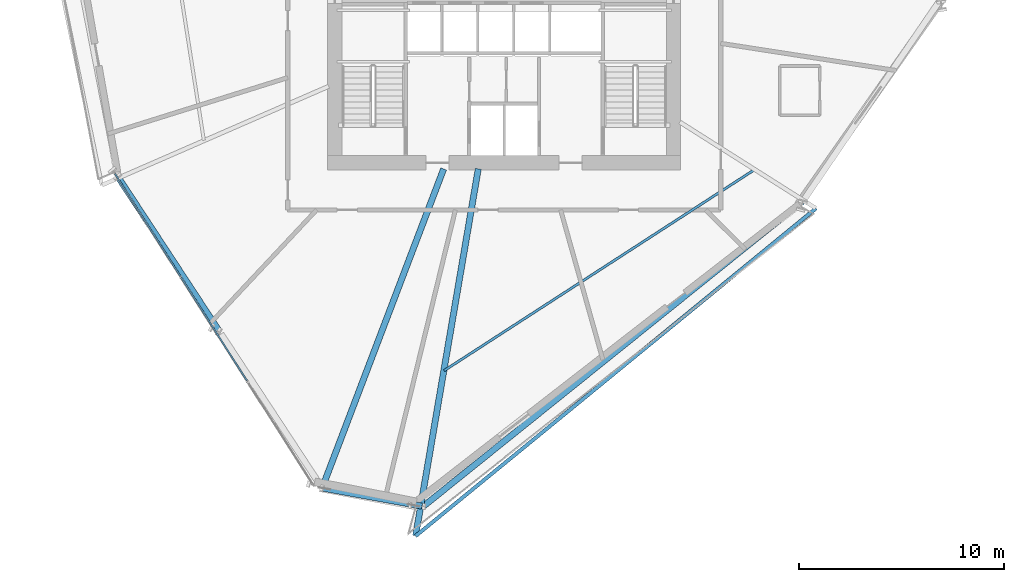
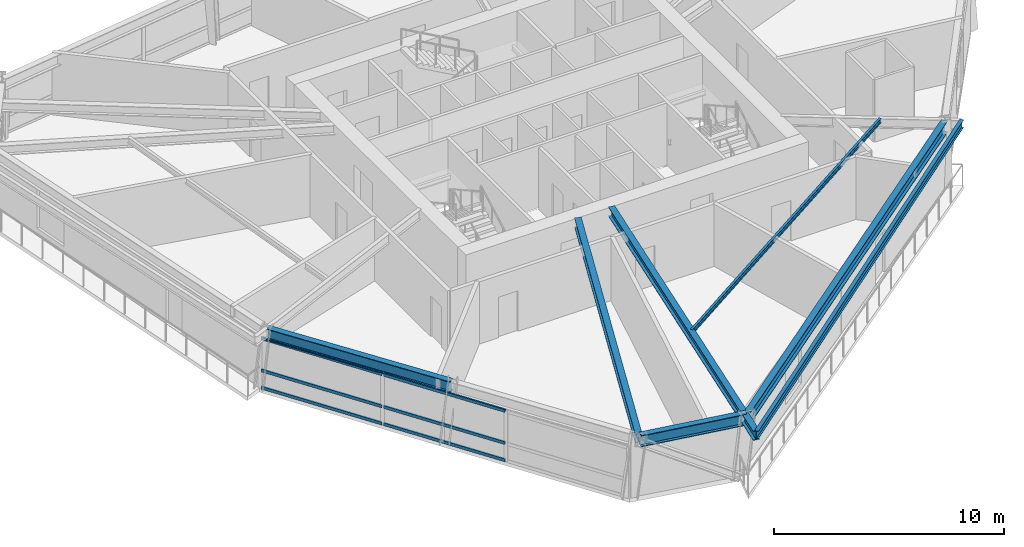
# One storey, part 3 of 16: 7 beams, 6 members, 1 element without a shape of its own.
"""IFC4 building model written with IfcOpenShell, lengths in metres."""

from ifc_helpers import new_model, si_unit, direction, frame, origin, origin_2d, place, context, subcontext, project, spatial, hollow_rectangle, i_section, extrude, source, transform, mapped, material, material_profile, profile_set, type_object, element, aggregate, save


model = new_model("IFC4")

# Units and contexts
model_context = context("Model", 3, precision=1e-05, world=origin(), true_north=direction((0.0, 1.0)))
body_context = subcontext(model_context, "Body", "Model", "MODEL_VIEW")
ifc_project = project(units=[si_unit("LENGTHUNIT", "METRE"), si_unit("AREAUNIT", "SQUARE_METRE"), si_unit("VOLUMEUNIT", "CUBIC_METRE"), si_unit("PLANEANGLEUNIT", "RADIAN"), si_unit("MASSUNIT", "GRAM", prefix="KILO")], contexts=[model_context])

# Site, building, storey
site_placement = place(None, origin())
site = spatial("IfcSite", under=ifc_project, at=site_placement, CompositionType="ELEMENT")
building_placement = place(site_placement, origin())
building = spatial("IfcBuilding", under=site, at=building_placement, Name="Olszyna Solenne Hotel", CompositionType="ELEMENT")
storey_placement = place(building_placement, frame((0.0, 0.0, 127.0)))
storey = spatial("IfcBuildingStorey", under=building, at=storey_placement, Name="L33", CompositionType="ELEMENT", Elevation=127.0)

# Beams
ifc_material_1 = material(Name="Steel S355J2", Category="steel")
ifc_material_profile_1 = material_profile(ifc_material_1, i_section(OverallWidth=0.300048828125, OverallDepth=0.60009765625, WebThickness=0.015380859375, FlangeThickness=0.030029296875, at=origin_2d()), Name="HEB 600", Category="load-bearing")
ifc_profile_set_1 = profile_set([ifc_material_profile_1], Name="Steel S355J2")
beam_type_1 = type_object("IfcBeamType", Name="BM-S2", PredefinedType="BEAM", material=ifc_profile_set_1)
shared_shape_1 = source(origin(), body_context, "Body", "SweptSolid", [
    extrude(i_section(OverallWidth=0.300048828125, OverallDepth=0.60009765625, WebThickness=0.015380859375, FlangeThickness=0.030029296875, at=origin_2d()), origin(), (0.0, 0.0, 1.0), 8.92041015625),
])
beam_1_placement = place(storey_placement, frame((19.2392578125, 18.363525390625, 3.0), z_axis=(0.548685733961, -0.836028686917, 0.0), x_axis=(0.836028686917, 0.548685733961, 0.0)))
element("IfcBeam", 1, at=beam_1_placement, inside=storey, type_object=beam_type_1, Name="Perimeter spandrel beam BM-S2 B-L33-0993", PredefinedType="BEAM", context=body_context, shape_type="MappedRepresentation", body=[
    mapped(shared_shape_1, transform((0.0, 0.0, 0.0), x_axis=(1.0, 0.0, 0.0), y_axis=(0.0, 1.0, 0.0), z_axis=(0.0, 0.0, 1.0), scale=1.0)),
])
shared_shape_2 = source(origin(), body_context, "Body", "SweptSolid", [
    extrude(i_section(OverallWidth=0.300048828125, OverallDepth=0.60009765625, WebThickness=0.015380859375, FlangeThickness=0.030029296875, at=origin_2d()), origin(), (0.0, 0.0, 1.0), 4.88720703125),
])
beam_2_placement = place(storey_placement, frame((29.18603515625, 3.28662109375, 3.0), z_axis=(0.983877902033, -0.178841476988, 0.0), x_axis=(0.178841476988, 0.983877902033, 0.0)))
element("IfcBeam", 2, at=beam_2_placement, inside=storey, type_object=beam_type_1, Name="Perimeter spandrel beam BM-S2 B-L33-0995", PredefinedType="BEAM", context=body_context, shape_type="MappedRepresentation", body=[
    mapped(shared_shape_2, transform((0.0, 0.0, 0.0), x_axis=(1.0, 0.0, 0.0), y_axis=(0.0, 1.0, 0.0), z_axis=(0.0, 0.0, 1.0), scale=1.0)),
])
shared_shape_3 = source(origin(), body_context, "Body", "SweptSolid", [
    extrude(i_section(OverallWidth=0.300048828125, OverallDepth=0.60009765625, WebThickness=0.015380859375, FlangeThickness=0.030029296875, at=origin_2d()), origin(), (0.0, 0.0, 1.0), 23.6376953125),
])
beam_3_placement = place(storey_placement, frame((34.10009765625, 2.439697265625, 3.0), z_axis=(0.77927923968, 0.626676843838, 0.0), x_axis=(-0.626676843838, 0.77927923968, 0.0)))
element("IfcBeam", 3, at=beam_3_placement, inside=storey, type_object=beam_type_1, Name="Perimeter spandrel beam BM-S2 B-L33-0996", PredefinedType="BEAM", context=body_context, shape_type="MappedRepresentation", body=[
    mapped(shared_shape_3, transform((0.0, 0.0, 0.0), x_axis=(1.0, 0.0, 0.0), y_axis=(0.0, 1.0, 0.0), z_axis=(0.0, 0.0, 1.0), scale=1.0)),
])
ifc_material_profile_2 = material_profile(ifc_material_1, i_section(OverallWidth=0.300048828125, OverallDepth=0.489990234375, WebThickness=0.011962890625, FlangeThickness=0.02294921875, at=origin_2d()), Name="HEA 500", Category="load-bearing")
ifc_profile_set_2 = profile_set([ifc_material_profile_2], Name="Steel S355J2")
beam_type_2 = type_object("IfcBeamType", Name="BM-G1", PredefinedType="BEAM", material=ifc_profile_set_2)
shared_shape_4 = source(origin(), body_context, "Body", "SweptSolid", [
    extrude(i_section(OverallWidth=0.300048828125, OverallDepth=0.489990234375, WebThickness=0.011962890625, FlangeThickness=0.02294921875, at=origin_2d()), origin(), (0.0, 0.0, 1.0), 16.57861328125),
])
beam_4_placement = place(storey_placement, frame((29.1484375, 3.353271484375, 3.054931640625), z_axis=(0.3558459023, 0.93454464517, 0.0), x_axis=(-0.93454464517, 0.3558459023, 0.0)))
element("IfcBeam", 4, at=beam_4_placement, inside=storey, type_object=beam_type_2, Name="Radial floor girder BM-G1 B-L33-1005", PredefinedType="BEAM", context=body_context, shape_type="MappedRepresentation", body=[
    mapped(shared_shape_4, transform((0.0, 0.0, 0.0), x_axis=(1.0, 0.0, 0.0), y_axis=(0.0, 1.0, 0.0), z_axis=(0.0, 0.0, 1.0), scale=1.0)),
])
shared_shape_5 = source(origin(), body_context, "Body", "SweptSolid", [
    extrude(i_section(OverallWidth=0.300048828125, OverallDepth=0.489990234375, WebThickness=0.011962890625, FlangeThickness=0.02294921875, at=origin_2d()), origin(), (0.0, 0.0, 1.0), 18.13232421875),
])
beam_5_placement = place(storey_placement, frame((33.684326171875, 0.9755859375, 3.054931640625), z_axis=(0.168290719144, 0.985737406133, 0.0), x_axis=(-0.985737406133, 0.168290719144, 0.0)))
element("IfcBeam", 5, at=beam_5_placement, inside=storey, type_object=beam_type_2, Name="Radial floor girder BM-G1 B-L33-1006", PredefinedType="BEAM", context=body_context, shape_type="MappedRepresentation", body=[
    mapped(shared_shape_5, transform((0.0, 0.0, 0.0), x_axis=(1.0, 0.0, 0.0), y_axis=(0.0, 1.0, 0.0), z_axis=(0.0, 0.0, 1.0), scale=1.0)),
])
ifc_material_profile_3 = material_profile(ifc_material_1, i_section(OverallWidth=0.1201171875, OverallDepth=0.239990234375, WebThickness=0.006103515625, FlangeThickness=0.009765625, at=origin_2d()), Name="IPE 240", Category="load-bearing")
ifc_profile_set_3 = profile_set([ifc_material_profile_3], Name="Steel S355J2")
beam_type_3 = type_object("IfcBeamType", Name="JS-03", PredefinedType="JOIST", material=ifc_profile_set_3)
shared_shape_6 = source(origin(), body_context, "Body", "SweptSolid", [
    extrude(i_section(OverallWidth=0.1201171875, OverallDepth=0.239990234375, WebThickness=0.006103515625, FlangeThickness=0.009765625, at=origin_2d()), origin(), (0.0, 0.0, 1.0), 18.01171875),
])
beam_6_placement = place(storey_placement, frame((35.072509765625, 9.018798828125, 3.179931640625), z_axis=(0.839413750261, 0.54349292164, 0.0), x_axis=(-0.54349292164, 0.839413750261, 0.0)))
element("IfcBeam", 6, at=beam_6_placement, inside=storey, type_object=beam_type_3, Name="Secondary composite floor joist JS-03 B-L33-1012", PredefinedType="JOIST", context=body_context, shape_type="MappedRepresentation", body=[
    mapped(shared_shape_6, transform((0.0, 0.0, 0.0), x_axis=(1.0, 0.0, 0.0), y_axis=(0.0, 1.0, 0.0), z_axis=(0.0, 0.0, 1.0), scale=1.0)),
])
ifc_material_profile_4 = material_profile(ifc_material_1, i_section(OverallWidth=0.179931640625, OverallDepth=0.39990234375, WebThickness=0.008544921875, FlangeThickness=0.013427734375, at=origin_2d()), Name="IPE 400", Category="load-bearing")
ifc_profile_set_4 = profile_set([ifc_material_profile_4], Name="Steel S355J2")
beam_type_4 = type_object("IfcBeamType", Name="BM-F5", PredefinedType="BEAM", material=ifc_profile_set_4)
shared_shape_7 = source(origin(), body_context, "Body", "SweptSolid", [
    extrude(i_section(OverallWidth=0.179931640625, OverallDepth=0.39990234375, WebThickness=0.008544921875, FlangeThickness=0.013427734375, at=origin_2d()), origin(), (0.0, 0.0, 1.0), 25.21728515625),
])
beam_7_placement = place(storey_placement, frame((33.680908203125, 0.9560546875, 3.10009765625), z_axis=(0.773870589887, 0.633343753509, 0.0), x_axis=(-0.633343753509, 0.773870589887, 0.0)))
element("IfcBeam", 7, at=beam_7_placement, inside=storey, type_object=beam_type_4, Name="Loggia outer edge beam BM-F5 B-L33-1015", PredefinedType="BEAM", context=body_context, shape_type="MappedRepresentation", body=[
    mapped(shared_shape_7, transform((0.0, 0.0, 0.0), x_axis=(1.0, 0.0, 0.0), y_axis=(0.0, 1.0, 0.0), z_axis=(0.0, 0.0, 1.0), scale=1.0)),
])

# Curtain wall, members
ifc_material_2 = material(Name="Anodised bronze aluminium", Category="aluminium")
curtain_wall_type = type_object("IfcCurtainWallType", Name="CW-SYS-3", PredefinedType="NOTDEFINED", material=ifc_material_2)
curtain_wall_placement = place(storey_placement, origin())
curtain_wall = element("IfcCurtainWall", 8, at=curtain_wall_placement, inside=storey, type_object=curtain_wall_type, Name="Unitised curtain wall CW-SYS-3 CW-L33-01", PredefinedType="NOTDEFINED")
ifc_material_profile_5 = material_profile(ifc_material_2, hollow_rectangle(XDim=0.074951171875, YDim=0.159912109375, WallThickness=0.00390625, at=origin_2d()), Name="TRAN 160x75x4", Category="load-bearing")
ifc_profile_set_5 = profile_set([ifc_material_profile_5], Name="Anodised bronze aluminium")
member_type = type_object("IfcMemberType", Name="CW-T1", PredefinedType="USERDEFINED", material=ifc_profile_set_5)
shared_shape_8 = source(origin(), body_context, "Body", "SweptSolid", [
    extrude(hollow_rectangle(XDim=0.074951171875, YDim=0.159912109375, WallThickness=0.00390625, at=origin_2d()), origin(), (0.0, 0.0, 1.0), 5.921142578125),
])
member_1_placement = place(storey_placement, frame((19.032958984375, 18.611572265625, 0.03759765625), z_axis=(0.537696952437, -0.843138178083, 0.0), x_axis=(0.843138178083, 0.537696952437, 0.0)))
member_1 = element("IfcMember", 9, at=member_1_placement, type_object=member_type, Name="Curtain-wall transom CW-T1 CT-L33-01-01", ObjectType="TRANSOM", PredefinedType="USERDEFINED", context=body_context, shape_type="MappedRepresentation", body=[
    mapped(shared_shape_8, transform((0.0, 0.0, 0.0), x_axis=(1.0, 0.0, 0.0), y_axis=(0.0, 1.0, 0.0), z_axis=(0.0, 0.0, 1.0), scale=1.0)),
])
member_2_placement = place(storey_placement, frame((19.032958984375, 18.611572265625, 0.949951171875), z_axis=(0.537696952437, -0.843138178083, 0.0), x_axis=(0.843138178083, 0.537696952437, 0.0)))
member_2 = element("IfcMember", 10, at=member_2_placement, type_object=member_type, Name="Curtain-wall transom CW-T1 CT-L33-01-02", ObjectType="TRANSOM", PredefinedType="USERDEFINED", context=body_context, shape_type="MappedRepresentation", body=[
    mapped(shared_shape_8, transform((0.0, 0.0, 0.0), x_axis=(1.0, 0.0, 0.0), y_axis=(0.0, 1.0, 0.0), z_axis=(0.0, 0.0, 1.0), scale=1.0)),
])
member_3_placement = place(storey_placement, frame((19.032958984375, 18.611572265625, 2.654541015625), z_axis=(0.537696952437, -0.843138178083, 0.0), x_axis=(0.843138178083, 0.537696952437, 0.0)))
member_3 = element("IfcMember", 11, at=member_3_placement, type_object=member_type, Name="Curtain-wall transom CW-T1 CT-L33-01-03", ObjectType="TRANSOM", PredefinedType="USERDEFINED", context=body_context, shape_type="MappedRepresentation", body=[
    mapped(shared_shape_8, transform((0.0, 0.0, 0.0), x_axis=(1.0, 0.0, 0.0), y_axis=(0.0, 1.0, 0.0), z_axis=(0.0, 0.0, 1.0), scale=1.0)),
])
shared_shape_9 = source(origin(), body_context, "Body", "SweptSolid", [
    extrude(hollow_rectangle(XDim=0.074951171875, YDim=0.159912109375, WallThickness=0.00390625, at=origin_2d()), origin(), (0.0, 0.0, 1.0), 5.958740234375),
])
member_4_placement = place(storey_placement, frame((22.257080078125, 13.555908203125, 0.03759765625), z_axis=(0.5376705851, -0.84315499282, 0.0), x_axis=(0.84315499282, 0.5376705851, 0.0)))
member_4 = element("IfcMember", 12, at=member_4_placement, type_object=member_type, Name="Curtain-wall transom CW-T1 CT-L33-01-04", ObjectType="TRANSOM", PredefinedType="USERDEFINED", context=body_context, shape_type="MappedRepresentation", body=[
    mapped(shared_shape_9, transform((0.0, 0.0, 0.0), x_axis=(1.0, 0.0, 0.0), y_axis=(0.0, 1.0, 0.0), z_axis=(0.0, 0.0, 1.0), scale=1.0)),
])
member_5_placement = place(storey_placement, frame((22.257080078125, 13.555908203125, 0.949951171875), z_axis=(0.5376705851, -0.84315499282, 0.0), x_axis=(0.84315499282, 0.5376705851, 0.0)))
member_5 = element("IfcMember", 13, at=member_5_placement, type_object=member_type, Name="Curtain-wall transom CW-T1 CT-L33-01-05", ObjectType="TRANSOM", PredefinedType="USERDEFINED", context=body_context, shape_type="MappedRepresentation", body=[
    mapped(shared_shape_9, transform((0.0, 0.0, 0.0), x_axis=(1.0, 0.0, 0.0), y_axis=(0.0, 1.0, 0.0), z_axis=(0.0, 0.0, 1.0), scale=1.0)),
])
member_6_placement = place(storey_placement, frame((22.257080078125, 13.555908203125, 2.654541015625), z_axis=(0.5376705851, -0.84315499282, 0.0), x_axis=(0.84315499282, 0.5376705851, 0.0)))
member_6 = element("IfcMember", 14, at=member_6_placement, type_object=member_type, Name="Curtain-wall transom CW-T1 CT-L33-01-06", ObjectType="TRANSOM", PredefinedType="USERDEFINED", context=body_context, shape_type="MappedRepresentation", body=[
    mapped(shared_shape_9, transform((0.0, 0.0, 0.0), x_axis=(1.0, 0.0, 0.0), y_axis=(0.0, 1.0, 0.0), z_axis=(0.0, 0.0, 1.0), scale=1.0)),
])
aggregate(curtain_wall, [member_1, member_2, member_3, member_4, member_5, member_6])

save(model, "model.ifc")
